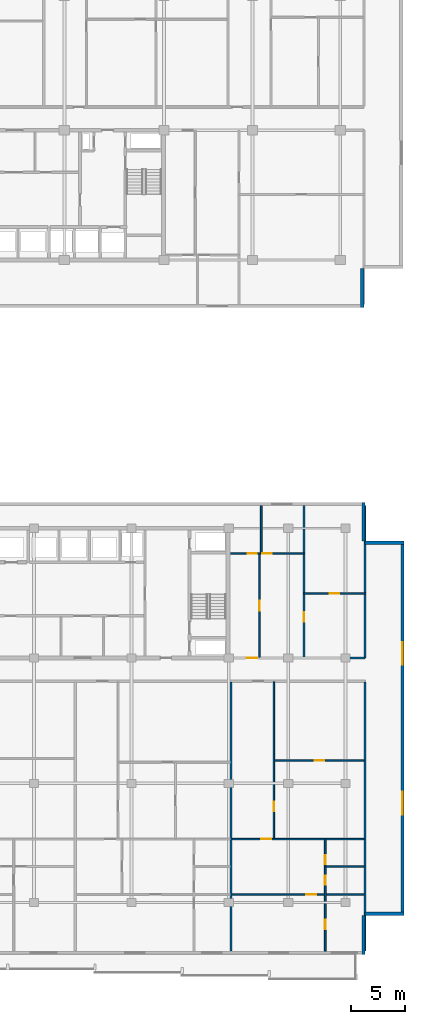
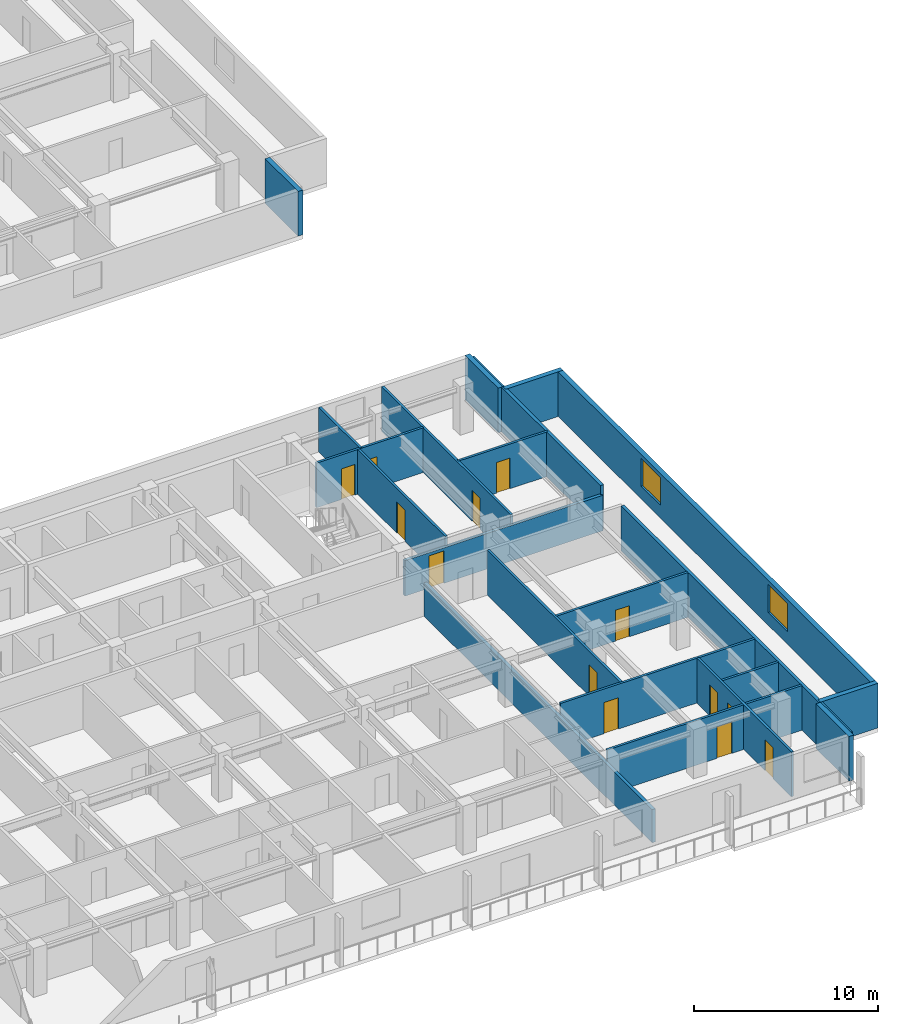
# One storey, part 10 of 22: 21 walls, 13 doors, 2 windows, 15 openings.
"""IFC4 building model written with IfcOpenShell, lengths in metres."""

from ifc_helpers import new_model, si_unit, direction, frame, frame_2d, origin, place, context, subcontext, project, spatial, rectangle, extrude, material, layer, layer_set, type_object, element, fill, save


model = new_model("IFC4")

# Units and contexts
model_context = context("Model", 3, precision=1e-05, world=origin(), true_north=direction((0.0, 1.0)))
body_context = subcontext(model_context, "Body", "Model", "MODEL_VIEW")
ifc_project = project(units=[si_unit("LENGTHUNIT", "METRE"), si_unit("AREAUNIT", "SQUARE_METRE"), si_unit("VOLUMEUNIT", "CUBIC_METRE"), si_unit("PLANEANGLEUNIT", "RADIAN"), si_unit("MASSUNIT", "GRAM", prefix="KILO")], contexts=[model_context])

# Site, building, storey
site_placement = place(None, origin())
site = spatial("IfcSite", under=ifc_project, at=site_placement, CompositionType="ELEMENT")
building_placement = place(site_placement, origin())
building = spatial("IfcBuilding", under=site, at=building_placement, Name="Korimba Cascade Residences", CompositionType="ELEMENT")
storey_placement = place(building_placement, frame((0.0, 0.0, 84.050048828125)))
storey = spatial("IfcBuildingStorey", under=building, at=storey_placement, Name="L23", CompositionType="ELEMENT", Elevation=84.050048828125)

# Walls
ifc_material_1 = material(Name="Precast concrete C40/50", Category="concrete")
ifc_layer_1 = layer(ifc_material_1, 0.300048828125)
ifc_layer_set_1 = layer_set([ifc_layer_1], Name="Precast concrete C40/50")
wall_type_1 = type_object("IfcWallType", Name="EW-STONE-300", PredefinedType="STANDARD", material=ifc_layer_set_1)
wall_1_placement = place(storey_placement, frame((130.449951171875, 50.800048828125, 0.0), z_axis=(0.0, 0.0, 1.0), x_axis=(0.0, 1.0, 0.0)))
element("IfcWall", 1, at=wall_1_placement, inside=storey, type_object=wall_type_1, Name="L23 T1 Perimeter Stone Wall E01", PredefinedType="STANDARD", context=body_context, shape_type="SweptSolid", body=[
    extrude(rectangle(XDim=3.599853515625, YDim=0.300048828125, at=frame_2d((1.7998046875, 0.0))), origin(), (0.0, 0.0, 1.0), 2.969970703125),
])
for number, where, z_axis, x_axis, name in (
    (2, (130.550048828125, -9.0, 0.0), (0.0, 0.0, 1.0), (0.0, 1.0, 0.0), "L23 T2 Perimeter Stone Wall E01"),
    (3, (130.699951171875, -5.25, 0.0), (0.0, 0.0, 1.0), (1.0, 0.0, 0.0), "L23 T2 Perimeter Stone Wall E02"),
):
    element("IfcWall", number, at=place(storey_placement, frame(where, z_axis=z_axis, x_axis=x_axis)), inside=storey, type_object=wall_type_1, Name=name, PredefinedType="STANDARD", context=body_context, shape_type="SweptSolid", body=[
        extrude(rectangle(XDim=3.60009765625, YDim=0.300048828125, at=frame_2d((1.800048828125, 0.0))), origin(), (0.0, 0.0, 1.0), 2.969970703125),
    ])

# Wall, openings, windows
wall_2_placement = place(storey_placement, frame((134.14990234375, -5.39990234375, 0.0), z_axis=(0.0, 0.0, 1.0), x_axis=(0.0, 1.0, 0.0)))
wall_2 = element("IfcWall", 4, at=wall_2_placement, inside=storey, type_object=wall_type_1, Name="L23 T2 Perimeter Stone Wall E03", PredefinedType="STANDARD", context=body_context, shape_type="SweptSolid", body=[
    extrude(rectangle(XDim=34.599853515625, YDim=0.300048828125, at=frame_2d((17.2998046875, 0.0))), origin(), (0.0, 0.0, 1.0), 2.969970703125),
])
opening_1_placement = place(wall_2_placement, frame((9.330078125, 0.0, 0.85009765625)))
opening_1 = element("IfcOpeningElement", 5, at=opening_1_placement, cuts=wall_2, Name="Opening W-03", PredefinedType="OPENING", context=body_context, shape_type="SweptSolid", body=[
    extrude(rectangle(XDim=2.10009765625, YDim=1.85009765625, at=frame_2d((1.050048828125, 0.925048828125))), frame((0.0, 0.16015625, 0.0), z_axis=(0.0, -1.0, 0.0), x_axis=(1.0, 0.0, 0.0)), (0.0, 0.0, 1.0), 0.320068359375),
])
opening_2_placement = place(wall_2_placement, frame((23.169921875, 0.0, 0.85009765625)))
opening_2 = element("IfcOpeningElement", 6, at=opening_2_placement, cuts=wall_2, Name="Opening W-03", PredefinedType="OPENING", context=body_context, shape_type="SweptSolid", body=[
    extrude(rectangle(XDim=2.10009765625, YDim=1.85009765625, at=frame_2d((1.050048828125, 0.925048828125))), frame((0.0, 0.16015625, 0.0), z_axis=(0.0, -1.0, 0.0), x_axis=(1.0, 0.0, 0.0)), (0.0, 0.0, 1.0), 0.320068359375),
])
ifc_material_2 = material(Name="Double-Glazed Aluminium Window", Category="aluminium")
window_type = type_object("IfcWindowType", Name="WIN-CRN-2100", PartitioningType="DOUBLE_PANEL_HORIZONTAL", PredefinedType="WINDOW", material=ifc_material_2)
window_1_placement = place(opening_1_placement, origin())
window_1 = element("IfcWindow", 7, at=window_1_placement, inside=storey, type_object=window_type, Name="L23 T2 End View Window 3.1", OverallHeight=1.85009765625, OverallWidth=2.10009765625, PartitioningType="DOUBLE_PANEL_HORIZONTAL", PredefinedType="WINDOW", context=body_context, shape_type="SweptSolid", body=[
    extrude(rectangle(XDim=2.10009765625, YDim=1.85009765625, at=frame_2d((1.050048828125, 0.925048828125))), frame((0.0, 0.030029296875, 0.0), z_axis=(0.0, -1.0, 0.0), x_axis=(1.0, 0.0, 0.0)), (0.0, 0.0, 1.0), 0.06005859375),
])
fill(opening_1, window_1)
window_2_placement = place(opening_2_placement, origin())
window_2 = element("IfcWindow", 8, at=window_2_placement, inside=storey, type_object=window_type, Name="L23 T2 End View Window 3.2", OverallHeight=1.85009765625, OverallWidth=2.10009765625, PartitioningType="DOUBLE_PANEL_HORIZONTAL", PredefinedType="WINDOW", context=body_context, shape_type="SweptSolid", body=[
    extrude(rectangle(XDim=2.10009765625, YDim=1.85009765625, at=frame_2d((1.050048828125, 0.925048828125))), frame((0.0, 0.030029296875, 0.0), z_axis=(0.0, -1.0, 0.0), x_axis=(1.0, 0.0, 0.0)), (0.0, 0.0, 1.0), 0.06005859375),
])
fill(opening_2, window_2)

# Walls
for number, where, z_axis, x_axis, name in (
    (9, (134.300048828125, 29.050048828125, 0.0), (0.0, 0.0, 1.0), (-1.0, 0.0, 0.0), "L23 T2 Perimeter Stone Wall E04"),
    (10, (130.550048828125, 29.199951171875, 0.0), (0.0, 0.0, 1.0), (0.0, 1.0, 0.0), "L23 T2 Perimeter Stone Wall E05"),
):
    element("IfcWall", number, at=place(storey_placement, frame(where, z_axis=z_axis, x_axis=x_axis)), inside=storey, type_object=wall_type_1, Name=name, PredefinedType="STANDARD", context=body_context, shape_type="SweptSolid", body=[
        extrude(rectangle(XDim=3.60009765625, YDim=0.300048828125, at=frame_2d((1.800048828125, 0.0))), origin(), (0.0, 0.0, 1.0), 2.969970703125),
    ])
ifc_layer_2 = layer(ifc_material_1, 0.199951171875)
ifc_layer_set_2 = layer_set([ifc_layer_2], Name="Precast concrete C40/50")
wall_type_2 = type_object("IfcWallType", Name="WAL-IT-200", PredefinedType="PARTITIONING", material=ifc_layer_set_2)
wall_3_placement = place(storey_placement, frame((130.699951171875, 18.39990234375, 0.0), z_axis=(0.0, 0.0, 1.0), x_axis=(0.0, 1.0, 0.0)))
element("IfcWall", 11, at=wall_3_placement, inside=storey, type_object=wall_type_2, Name="L23 Partition Wall WAL-L23-T2-FE-WR", PredefinedType="PARTITIONING", context=body_context, shape_type="SweptSolid", body=[
    extrude(rectangle(XDim=14.10009765625, YDim=0.199951171875, at=frame_2d((7.050048828125, 0.0))), origin(), (0.0, 0.0, 1.0), 2.969970703125),
])

# Wall, opening, door
wall_4_placement = place(storey_placement, frame((118.25, 18.39990234375, 0.0), z_axis=(0.0, 0.0, 1.0), x_axis=(1.0, 0.0, 0.0)))
wall_4 = element("IfcWall", 12, at=wall_4_placement, inside=storey, type_object=wall_type_2, Name="L23 Partition Wall WAL-L23-T2-FE-S", PredefinedType="PARTITIONING", context=body_context, shape_type="SweptSolid", body=[
    extrude(rectangle(XDim=12.449951171875, YDim=0.199951171875, at=frame_2d((6.22509765625, 0.0))), origin(), (0.0, 0.0, 1.0), 2.357666015625),
])
opening_3_placement = place(wall_4_placement, frame((1.510009765625, 0.0, 0.0)))
opening_3 = element("IfcOpeningElement", 13, at=opening_3_placement, cuts=wall_4, Name="Opening D-UN1", PredefinedType="OPENING", context=body_context, shape_type="SweptSolid", body=[
    extrude(rectangle(XDim=0.949951171875, YDim=2.14990234375, at=frame_2d((0.47509765625, 1.074951171875))), frame((0.0, 0.10986328125, 0.0), z_axis=(0.0, -1.0, 0.0), x_axis=(1.0, 0.0, 0.0)), (0.0, 0.0, 1.0), 0.219970703125),
])
ifc_material_3 = material(Name="Fire-Rated Hardwood Apartment Entrance Door", Category="wood")
door_type_1 = type_object("IfcDoorType", Name="DR-FD60-950", OperationType="NOTDEFINED", PredefinedType="DOOR", material=ifc_material_3)
door_1_placement = place(opening_3_placement, origin())
door_1 = element("IfcDoor", 14, at=door_1_placement, inside=storey, type_object=door_type_1, Name="L23-T2-FE Entrance Door", OperationType="SINGLE_SWING_LEFT", OverallHeight=2.14990234375, OverallWidth=0.949951171875, PredefinedType="DOOR", context=body_context, shape_type="SweptSolid", body=[
    extrude(rectangle(XDim=0.949951171875, YDim=2.14990234375, at=frame_2d((0.47509765625, 1.074951171875))), frame((0.0, 0.02490234375, 0.0), z_axis=(0.0, -1.0, 0.0), x_axis=(1.0, 0.0, 0.0)), (0.0, 0.0, 1.0), 0.050048828125),
])
fill(opening_3, door_1)

# Walls
wall_5_placement = place(storey_placement, frame((130.699951171875, -8.699951171875, 0.0), z_axis=(0.0, 0.0, 1.0), x_axis=(0.0, 1.0, 0.0)))
element("IfcWall", 15, at=wall_5_placement, inside=storey, type_object=wall_type_2, Name="L23 Partition Wall WAL-L23-T2-BNDWR", PredefinedType="PARTITIONING", context=body_context, shape_type="SweptSolid", body=[
    extrude(rectangle(XDim=24.869873046875, YDim=0.199951171875, at=frame_2d((12.43505859375, 0.0))), origin(), (0.0, 0.0, 1.0), 2.969970703125),
])
wall_6_placement = place(storey_placement, frame((118.300048828125, -8.699951171875, 0.0), z_axis=(0.0, 0.0, 1.0), x_axis=(0.0, 1.0, 0.0)))
element("IfcWall", 16, at=wall_6_placement, inside=storey, type_object=wall_type_2, Name="L23 Partition Wall WAL-L23-T2-DEM-3", PredefinedType="PARTITIONING", context=body_context, shape_type="SweptSolid", body=[
    extrude(rectangle(XDim=24.869873046875, YDim=0.199951171875, at=frame_2d((12.43505859375, 0.0))), origin(), (0.0, 0.0, 1.0), 2.2001953125),
])

# Wall, opening, door
ifc_material_4 = material(Name="Insulated Acoustic Stud Partition", Category="gypsum")
ifc_layer_3 = layer(ifc_material_4, 0.14990234375)
ifc_layer_set_3 = layer_set([ifc_layer_3], Name="Insulated Acoustic Stud Partition")
wall_type_3 = type_object("IfcWallType", Name="WAL-PART-150", PredefinedType="PARTITIONING", material=ifc_layer_set_3)
wall_7_placement = place(storey_placement, frame((125.050048828125, 24.35009765625, 0.0), z_axis=(0.0, 0.0, 1.0), x_axis=(1.0, 0.0, 0.0)))
wall_7 = element("IfcWall", 17, at=wall_7_placement, inside=storey, type_object=wall_type_3, Name="L23 Partition Wall WAL-L23-T2-FE-STH", PredefinedType="PARTITIONING", context=body_context, shape_type="SweptSolid", body=[
    extrude(rectangle(XDim=5.64990234375, YDim=0.14990234375, at=frame_2d((2.824951171875, 0.0))), origin(), (0.0, 0.0, 1.0), 2.969970703125),
])
opening_4_placement = place(wall_7_placement, frame((2.405029296875, 0.0, 0.0)))
opening_4 = element("IfcOpeningElement", 18, at=opening_4_placement, cuts=wall_7, Name="Opening D-BT1", PredefinedType="OPENING", context=body_context, shape_type="SweptSolid", body=[
    extrude(rectangle(XDim=0.840087890625, YDim=2.0400390625, at=frame_2d((0.419921875, 1.02001953125))), frame((0.0, 0.0849609375, 0.0), z_axis=(0.0, -1.0, 0.0), x_axis=(1.0, 0.0, 0.0)), (0.0, 0.0, 1.0), 0.169921875),
])
ifc_material_5 = material(Name="Moisture-Resistant Bathroom Timber Door", Category="wood")
door_type_2 = type_object("IfcDoorType", Name="DR-INT-850", OperationType="NOTDEFINED", PredefinedType="DOOR", material=ifc_material_5)
door_2_placement = place(opening_4_placement, origin())
door_2 = element("IfcDoor", 19, at=door_2_placement, inside=storey, type_object=door_type_2, Name="L23-T2-FE Dressing Store Door", OperationType="SINGLE_SWING_RIGHT", OverallHeight=2.0400390625, OverallWidth=0.840087890625, PredefinedType="DOOR", context=body_context, shape_type="SweptSolid", body=[
    extrude(rectangle(XDim=0.840087890625, YDim=2.0400390625, at=frame_2d((0.419921875, 1.02001953125))), frame((0.0, 0.02490234375, 0.0), z_axis=(0.0, -1.0, 0.0), x_axis=(1.0, 0.0, 0.0)), (0.0, 0.0, 1.0), 0.050048828125),
])
fill(opening_4, door_2)

wall_8_placement = place(storey_placement, frame((125.050048828125, 18.449951171875, 0.0), z_axis=(0.0, 0.0, 1.0), x_axis=(0.0, 1.0, 0.0)))
wall_8 = element("IfcWall", 20, at=wall_8_placement, inside=storey, type_object=wall_type_3, Name="L23 Partition Wall WAL-L23-T2-FE-STV", PredefinedType="PARTITIONING", context=body_context, shape_type="SweptSolid", body=[
    extrude(rectangle(XDim=14.050048828125, YDim=0.14990234375, at=frame_2d((7.02490234375, 0.0))), origin(), (0.0, 0.0, 1.0), 2.969970703125),
])
opening_5_placement = place(wall_8_placement, frame((3.320068359375, 0.0, 0.0)))
opening_5 = element("IfcOpeningElement", 21, at=opening_5_placement, cuts=wall_8, Name="Opening D-IN2", PredefinedType="OPENING", context=body_context, shape_type="SweptSolid", body=[
    extrude(rectangle(XDim=0.8798828125, YDim=2.06005859375, at=frame_2d((0.43994140625, 1.030029296875))), frame((0.0, 0.0849609375, 0.0), z_axis=(0.0, -1.0, 0.0), x_axis=(1.0, 0.0, 0.0)), (0.0, 0.0, 1.0), 0.169921875),
])
ifc_material_6 = material(Name="Acoustic Timber Bedroom Door", Category="wood")
door_type_3 = type_object("IfcDoorType", Name="DR-INT-880", OperationType="NOTDEFINED", PredefinedType="DOOR", material=ifc_material_6)
door_3_placement = place(opening_5_placement, origin())
door_3 = element("IfcDoor", 22, at=door_3_placement, inside=storey, type_object=door_type_3, Name="L23-T2-FE Study Door", OperationType="SINGLE_SWING_LEFT", OverallHeight=2.06005859375, OverallWidth=0.8798828125, PredefinedType="DOOR", context=body_context, shape_type="SweptSolid", body=[
    extrude(rectangle(XDim=0.8798828125, YDim=2.06005859375, at=frame_2d((0.43994140625, 1.030029296875))), frame((0.0, 0.02490234375, 0.0), z_axis=(0.0, -1.0, 0.0), x_axis=(1.0, 0.0, 0.0)), (0.0, 0.0, 1.0), 0.050048828125),
])
fill(opening_5, door_3)

wall_9_placement = place(storey_placement, frame((120.929931640625, 18.449951171875, 0.0), z_axis=(0.0, 0.0, 1.0), x_axis=(0.0, 1.0, 0.0)))
wall_9 = element("IfcWall", 23, at=wall_9_placement, inside=storey, type_object=wall_type_3, Name="L23 Partition Wall WAL-L23-T2-FE-VS", PredefinedType="PARTITIONING", context=body_context, shape_type="SweptSolid", body=[
    extrude(rectangle(XDim=9.60009765625, YDim=0.14990234375, at=frame_2d((4.800048828125, 0.0))), origin(), (0.0, 0.0, 1.0), 2.969970703125),
])
opening_6_placement = place(wall_9_placement, frame((4.340087890625, 0.0, 0.0)))
opening_6 = element("IfcOpeningElement", 24, at=opening_6_placement, cuts=wall_9, Name="Opening D-IN1", PredefinedType="OPENING", context=body_context, shape_type="SweptSolid", body=[
    extrude(rectangle(XDim=0.919921875, YDim=2.080078125, at=frame_2d((0.4599609375, 1.0400390625))), frame((0.0, 0.0849609375, 0.0), z_axis=(0.0, -1.0, 0.0), x_axis=(1.0, 0.0, 0.0)), (0.0, 0.0, 1.0), 0.169921875),
])
ifc_material_7 = material(Name="Acoustic Timber Living Door", Category="wood")
door_type_4 = type_object("IfcDoorType", Name="DR-INT-920", OperationType="NOTDEFINED", PredefinedType="DOOR", material=ifc_material_7)
door_4_placement = place(opening_6_placement, origin())
door_4 = element("IfcDoor", 25, at=door_4_placement, inside=storey, type_object=door_type_4, Name="L23-T2-FE Living Door", OperationType="SINGLE_SWING_RIGHT", OverallHeight=2.080078125, OverallWidth=0.919921875, PredefinedType="DOOR", context=body_context, shape_type="SweptSolid", body=[
    extrude(rectangle(XDim=0.919921875, YDim=2.080078125, at=frame_2d((0.4599609375, 1.0400390625))), frame((0.0, 0.02490234375, 0.0), z_axis=(0.0, -1.0, 0.0), x_axis=(1.0, 0.0, 0.0)), (0.0, 0.0, 1.0), 0.050048828125),
])
fill(opening_6, door_4)

# Wall
wall_10_placement = place(storey_placement, frame((121.10009765625, 28.050048828125, 0.0), z_axis=(0.0, 0.0, 1.0), x_axis=(0.0, 1.0, 0.0)))
element("IfcWall", 26, at=wall_10_placement, inside=storey, type_object=wall_type_3, Name="L23 Partition Wall WAL-L23-T2-FE-VN", PredefinedType="PARTITIONING", context=body_context, shape_type="SweptSolid", body=[
    extrude(rectangle(XDim=4.449951171875, YDim=0.14990234375, at=frame_2d((2.22509765625, 0.0))), origin(), (0.0, 0.0, 1.0), 2.969970703125),
])

# Wall, openings, doors
wall_11_placement = place(storey_placement, frame((118.27001953125, 28.050048828125, 0.0), z_axis=(0.0, 0.0, 1.0), x_axis=(1.0, 0.0, 0.0)))
wall_11 = element("IfcWall", 27, at=wall_11_placement, inside=storey, type_object=wall_type_3, Name="L23 Partition Wall WAL-L23-T2-FE-H", PredefinedType="PARTITIONING", context=body_context, shape_type="SweptSolid", body=[
    extrude(rectangle(XDim=6.760009765625, YDim=0.14990234375, at=frame_2d((3.3798828125, 0.0))), origin(), (0.0, 0.0, 1.0), 2.969970703125),
])
opening_7_placement = place(wall_11_placement, frame((1.58740234375, 0.0, 0.0)))
opening_7 = element("IfcOpeningElement", 28, at=opening_7_placement, cuts=wall_11, Name="Opening D-BT1", PredefinedType="OPENING", context=body_context, shape_type="SweptSolid", body=[
    extrude(rectangle(XDim=0.840087890625, YDim=2.0400390625, at=frame_2d((0.419921875, 1.02001953125))), frame((0.0, 0.0849609375, 0.0), z_axis=(0.0, -1.0, 0.0), x_axis=(1.0, 0.0, 0.0)), (0.0, 0.0, 1.0), 0.169921875),
])
opening_8_placement = place(wall_11_placement, frame((2.93994140625, 0.0, 0.0)))
opening_8 = element("IfcOpeningElement", 29, at=opening_8_placement, cuts=wall_11, Name="Opening D-IN2", PredefinedType="OPENING", context=body_context, shape_type="SweptSolid", body=[
    extrude(rectangle(XDim=0.8798828125, YDim=2.06005859375, at=frame_2d((0.43994140625, 1.030029296875))), frame((0.0, 0.0849609375, 0.0), z_axis=(0.0, -1.0, 0.0), x_axis=(1.0, 0.0, 0.0)), (0.0, 0.0, 1.0), 0.169921875),
])
door_5_placement = place(opening_7_placement, origin())
door_5 = element("IfcDoor", 30, at=door_5_placement, inside=storey, type_object=door_type_2, Name="L23-T2-FE Bathroom Door", OperationType="SINGLE_SWING_LEFT", OverallHeight=2.0400390625, OverallWidth=0.840087890625, PredefinedType="DOOR", context=body_context, shape_type="SweptSolid", body=[
    extrude(rectangle(XDim=0.840087890625, YDim=2.0400390625, at=frame_2d((0.419921875, 1.02001953125))), frame((0.0, 0.02490234375, 0.0), z_axis=(0.0, -1.0, 0.0), x_axis=(1.0, 0.0, 0.0)), (0.0, 0.0, 1.0), 0.050048828125),
])
fill(opening_7, door_5)
door_6_placement = place(opening_8_placement, origin())
door_6 = element("IfcDoor", 31, at=door_6_placement, inside=storey, type_object=door_type_3, Name="L23-T2-FE Bedroom Door", OperationType="SINGLE_SWING_RIGHT", OverallHeight=2.06005859375, OverallWidth=0.8798828125, PredefinedType="DOOR", context=body_context, shape_type="SweptSolid", body=[
    extrude(rectangle(XDim=0.8798828125, YDim=2.06005859375, at=frame_2d((0.43994140625, 1.030029296875))), frame((0.0, 0.02490234375, 0.0), z_axis=(0.0, -1.0, 0.0), x_axis=(1.0, 0.0, 0.0)), (0.0, 0.0, 1.0), 0.050048828125),
])
fill(opening_8, door_6)

# Wall, opening, door
wall_12_placement = place(storey_placement, frame((122.330078125, 8.93994140625, 0.0), z_axis=(0.0, 0.0, 1.0), x_axis=(1.0, 0.0, 0.0)))
wall_12 = element("IfcWall", 32, at=wall_12_placement, inside=storey, type_object=wall_type_3, Name="L23 Partition Wall WAL-L23-T2-U04-FMH", PredefinedType="PARTITIONING", context=body_context, shape_type="SweptSolid", body=[
    extrude(rectangle(XDim=8.2900390625, YDim=0.14990234375, at=frame_2d((4.14501953125, 0.0))), origin(), (0.0, 0.0, 1.0), 2.969970703125),
])
opening_9_placement = place(wall_12_placement, frame((3.705078125, 0.0, 0.0)))
opening_9 = element("IfcOpeningElement", 33, at=opening_9_placement, cuts=wall_12, Name="Opening D-IN2", PredefinedType="OPENING", context=body_context, shape_type="SweptSolid", body=[
    extrude(rectangle(XDim=0.8798828125, YDim=2.06005859375, at=frame_2d((0.43994140625, 1.030029296875))), frame((0.0, 0.0849609375, 0.0), z_axis=(0.0, -1.0, 0.0), x_axis=(1.0, 0.0, 0.0)), (0.0, 0.0, 1.0), 0.169921875),
])
door_7_placement = place(opening_9_placement, origin())
door_7 = element("IfcDoor", 34, at=door_7_placement, inside=storey, type_object=door_type_3, Name="L23-T2-U04 Library Salon Door", OperationType="SINGLE_SWING_RIGHT", OverallHeight=2.06005859375, OverallWidth=0.8798828125, PredefinedType="DOOR", context=body_context, shape_type="SweptSolid", body=[
    extrude(rectangle(XDim=0.8798828125, YDim=2.06005859375, at=frame_2d((0.43994140625, 1.030029296875))), frame((0.0, 0.02490234375, 0.0), z_axis=(0.0, -1.0, 0.0), x_axis=(1.0, 0.0, 0.0)), (0.0, 0.0, 1.0), 0.050048828125),
])
fill(opening_9, door_7)

wall_13_placement = place(storey_placement, frame((122.27001953125, 1.68994140625, 0.0), z_axis=(0.0, 0.0, 1.0), x_axis=(0.0, 1.0, 0.0)))
wall_13 = element("IfcWall", 35, at=wall_13_placement, inside=storey, type_object=wall_type_3, Name="L23 Partition Wall WAL-L23-T2-U04-FV", PredefinedType="PARTITIONING", context=body_context, shape_type="SweptSolid", body=[
    extrude(rectangle(XDim=14.5, YDim=0.14990234375, at=frame_2d((7.25, 0.0))), origin(), (0.0, 0.0, 1.0), 2.969970703125),
])
opening_10_placement = place(wall_13_placement, frame((2.54248046875, 0.0, 0.0)))
opening_10 = element("IfcOpeningElement", 36, at=opening_10_placement, cuts=wall_13, Name="Opening D-IN2", PredefinedType="OPENING", context=body_context, shape_type="SweptSolid", body=[
    extrude(rectangle(XDim=0.8798828125, YDim=2.06005859375, at=frame_2d((0.43994140625, 1.030029296875))), frame((0.0, 0.0849609375, 0.0), z_axis=(0.0, -1.0, 0.0), x_axis=(1.0, 0.0, 0.0)), (0.0, 0.0, 1.0), 0.169921875),
])
door_8_placement = place(opening_10_placement, origin())
door_8 = element("IfcDoor", 37, at=door_8_placement, inside=storey, type_object=door_type_3, Name="L23-T2-U04 Media Lounge Door", OperationType="SINGLE_SWING_LEFT", OverallHeight=2.06005859375, OverallWidth=0.8798828125, PredefinedType="DOOR", context=body_context, shape_type="SweptSolid", body=[
    extrude(rectangle(XDim=0.8798828125, YDim=2.06005859375, at=frame_2d((0.43994140625, 1.030029296875))), frame((0.0, 0.02490234375, 0.0), z_axis=(0.0, -1.0, 0.0), x_axis=(1.0, 0.0, 0.0)), (0.0, 0.0, 1.0), 0.050048828125),
])
fill(opening_10, door_8)

# Wall
wall_14_placement = place(storey_placement, frame((127.080078125, -0.889892578125, 0.0), z_axis=(0.0, 0.0, 1.0), x_axis=(1.0, 0.0, 0.0)))
element("IfcWall", 38, at=wall_14_placement, inside=storey, type_object=wall_type_3, Name="L23 Partition Wall WAL-L23-T2-U04-BLDIV", PredefinedType="PARTITIONING", context=body_context, shape_type="SweptSolid", body=[
    extrude(rectangle(XDim=3.5400390625, YDim=0.14990234375, at=frame_2d((1.77001953125, 0.0))), origin(), (0.0, 0.0, 1.0), 2.969970703125),
])

# Wall, openings, doors
wall_15_placement = place(storey_placement, frame((127.02001953125, -8.699951171875, 0.0), z_axis=(0.0, 0.0, 1.0), x_axis=(0.0, 1.0, 0.0)))
wall_15 = element("IfcWall", 39, at=wall_15_placement, inside=storey, type_object=wall_type_3, Name="L23 Partition Wall WAL-L23-T2-U04-V1", PredefinedType="PARTITIONING", context=body_context, shape_type="SweptSolid", body=[
    extrude(rectangle(XDim=10.31005859375, YDim=0.14990234375, at=frame_2d((5.155029296875, 0.0))), origin(), (0.0, 0.0, 1.0), 2.969970703125),
])
opening_11_placement = place(wall_15_placement, frame((6.120361328125, 0.0, 0.0)))
opening_11 = element("IfcOpeningElement", 40, at=opening_11_placement, cuts=wall_15, Name="Opening D-BT1", PredefinedType="OPENING", context=body_context, shape_type="SweptSolid", body=[
    extrude(rectangle(XDim=0.840087890625, YDim=2.0400390625, at=frame_2d((0.419921875, 1.02001953125))), frame((0.0, 0.0849609375, 0.0), z_axis=(0.0, -1.0, 0.0), x_axis=(1.0, 0.0, 0.0)), (0.0, 0.0, 1.0), 0.169921875),
])
opening_12_placement = place(wall_15_placement, frame((8.03955078125, 0.0, 0.0)))
opening_12 = element("IfcOpeningElement", 41, at=opening_12_placement, cuts=wall_15, Name="Opening D-BT1", PredefinedType="OPENING", context=body_context, shape_type="SweptSolid", body=[
    extrude(rectangle(XDim=0.840087890625, YDim=2.0400390625, at=frame_2d((0.419921875, 1.02001953125))), frame((0.0, 0.0849609375, 0.0), z_axis=(0.0, -1.0, 0.0), x_axis=(1.0, 0.0, 0.0)), (0.0, 0.0, 1.0), 0.169921875),
])
opening_13_placement = place(wall_15_placement, frame((2.001220703125, 0.0, 0.0)))
opening_13 = element("IfcOpeningElement", 42, at=opening_13_placement, cuts=wall_15, Name="Opening D-IN2", PredefinedType="OPENING", context=body_context, shape_type="SweptSolid", body=[
    extrude(rectangle(XDim=0.8798828125, YDim=2.06005859375, at=frame_2d((0.43994140625, 1.030029296875))), frame((0.0, 0.0849609375, 0.0), z_axis=(0.0, -1.0, 0.0), x_axis=(1.0, 0.0, 0.0)), (0.0, 0.0, 1.0), 0.169921875),
])
door_9_placement = place(opening_11_placement, origin())
door_9 = element("IfcDoor", 43, at=door_9_placement, inside=storey, type_object=door_type_2, Name="L23-T2-U04 Bathroom Door", OperationType="SINGLE_SWING_RIGHT", OverallHeight=2.0400390625, OverallWidth=0.840087890625, PredefinedType="DOOR", context=body_context, shape_type="SweptSolid", body=[
    extrude(rectangle(XDim=0.840087890625, YDim=2.0400390625, at=frame_2d((0.419921875, 1.02001953125))), frame((0.0, 0.02490234375, 0.0), z_axis=(0.0, -1.0, 0.0), x_axis=(1.0, 0.0, 0.0)), (0.0, 0.0, 1.0), 0.050048828125),
])
fill(opening_11, door_9)
door_10_placement = place(opening_12_placement, origin())
door_10 = element("IfcDoor", 44, at=door_10_placement, inside=storey, type_object=door_type_2, Name="L23-T2-U04 Laundry Door", OperationType="SINGLE_SWING_LEFT", OverallHeight=2.0400390625, OverallWidth=0.840087890625, PredefinedType="DOOR", context=body_context, shape_type="SweptSolid", body=[
    extrude(rectangle(XDim=0.840087890625, YDim=2.0400390625, at=frame_2d((0.419921875, 1.02001953125))), frame((0.0, 0.02490234375, 0.0), z_axis=(0.0, -1.0, 0.0), x_axis=(1.0, 0.0, 0.0)), (0.0, 0.0, 1.0), 0.050048828125),
])
fill(opening_12, door_10)
door_11_placement = place(opening_13_placement, origin())
door_11 = element("IfcDoor", 45, at=door_11_placement, inside=storey, type_object=door_type_3, Name="L23-T2-U04 Bedroom 1 Door", OperationType="SINGLE_SWING_RIGHT", OverallHeight=2.06005859375, OverallWidth=0.8798828125, PredefinedType="DOOR", context=body_context, shape_type="SweptSolid", body=[
    extrude(rectangle(XDim=0.8798828125, YDim=2.06005859375, at=frame_2d((0.43994140625, 1.030029296875))), frame((0.0, 0.02490234375, 0.0), z_axis=(0.0, -1.0, 0.0), x_axis=(1.0, 0.0, 0.0)), (0.0, 0.0, 1.0), 0.050048828125),
])
fill(opening_13, door_11)

# Wall, opening, door
wall_16_placement = place(storey_placement, frame((118.3798828125, 1.64990234375, 0.0), z_axis=(0.0, 0.0, 1.0), x_axis=(1.0, 0.0, 0.0)))
wall_16 = element("IfcWall", 46, at=wall_16_placement, inside=storey, type_object=wall_type_3, Name="L23 Partition Wall WAL-L23-T2-U04-MW", PredefinedType="PARTITIONING", context=body_context, shape_type="SweptSolid", body=[
    extrude(rectangle(XDim=12.240234375, YDim=0.14990234375, at=frame_2d((6.1201171875, 0.0))), origin(), (0.0, 0.0, 1.0), 2.969970703125),
])
opening_14_placement = place(wall_16_placement, frame((2.719970703125, 0.0, 0.0)))
opening_14 = element("IfcOpeningElement", 47, at=opening_14_placement, cuts=wall_16, Name="Opening D-IN1", PredefinedType="OPENING", context=body_context, shape_type="SweptSolid", body=[
    extrude(rectangle(XDim=0.919921875, YDim=2.080078125, at=frame_2d((0.4599609375, 1.0400390625))), frame((0.0, 0.0849609375, 0.0), z_axis=(0.0, -1.0, 0.0), x_axis=(1.0, 0.0, 0.0)), (0.0, 0.0, 1.0), 0.169921875),
])
door_12_placement = place(opening_14_placement, origin())
door_12 = element("IfcDoor", 48, at=door_12_placement, inside=storey, type_object=door_type_4, Name="L23-T2-U04 Kitchen Archway Door", OperationType="SINGLE_SWING_LEFT", OverallHeight=2.080078125, OverallWidth=0.919921875, PredefinedType="DOOR", context=body_context, shape_type="SweptSolid", body=[
    extrude(rectangle(XDim=0.919921875, YDim=2.080078125, at=frame_2d((0.4599609375, 1.0400390625))), frame((0.0, 0.02490234375, 0.0), z_axis=(0.0, -1.0, 0.0), x_axis=(1.0, 0.0, 0.0)), (0.0, 0.0, 1.0), 0.050048828125),
])
fill(opening_14, door_12)

wall_17_placement = place(storey_placement, frame((118.3798828125, -3.449951171875, 0.0), z_axis=(0.0, 0.0, 1.0), x_axis=(1.0, 0.0, 0.0)))
wall_17 = element("IfcWall", 49, at=wall_17_placement, inside=storey, type_object=wall_type_3, Name="L23 Partition Wall WAL-L23-T2-U04-HZ", PredefinedType="PARTITIONING", context=body_context, shape_type="SweptSolid", body=[
    extrude(rectangle(XDim=12.240234375, YDim=0.14990234375, at=frame_2d((6.1201171875, 0.0))), origin(), (0.0, 0.0, 1.0), 2.969970703125),
])
opening_15_placement = place(wall_17_placement, frame((6.8740234375, 0.0, 0.0)))
opening_15 = element("IfcOpeningElement", 50, at=opening_15_placement, cuts=wall_17, Name="Opening D-IN0", PredefinedType="OPENING", context=body_context, shape_type="SweptSolid", body=[
    extrude(rectangle(XDim=0.93994140625, YDim=2.10009765625, at=frame_2d((0.469970703125, 1.050048828125))), frame((0.0, 0.0849609375, 0.0), z_axis=(0.0, -1.0, 0.0), x_axis=(1.0, 0.0, 0.0)), (0.0, 0.0, 1.0), 0.169921875),
])
ifc_material_8 = material(Name="Acoustic Timber Living Archway Door", Category="wood")
door_type_5 = type_object("IfcDoorType", Name="DR-INT-950", OperationType="NOTDEFINED", PredefinedType="DOOR", material=ifc_material_8)
door_13_placement = place(opening_15_placement, origin())
door_13 = element("IfcDoor", 51, at=door_13_placement, inside=storey, type_object=door_type_5, Name="L23-T2-U04 Living Archway Door", OperationType="SINGLE_SWING_RIGHT", OverallHeight=2.10009765625, OverallWidth=0.93994140625, PredefinedType="DOOR", context=body_context, shape_type="SweptSolid", body=[
    extrude(rectangle(XDim=0.93994140625, YDim=2.10009765625, at=frame_2d((0.469970703125, 1.050048828125))), frame((0.0, 0.02490234375, 0.0), z_axis=(0.0, -1.0, 0.0), x_axis=(1.0, 0.0, 0.0)), (0.0, 0.0, 1.0), 0.050048828125),
])
fill(opening_15, door_13)

save(model, "model.ifc")
